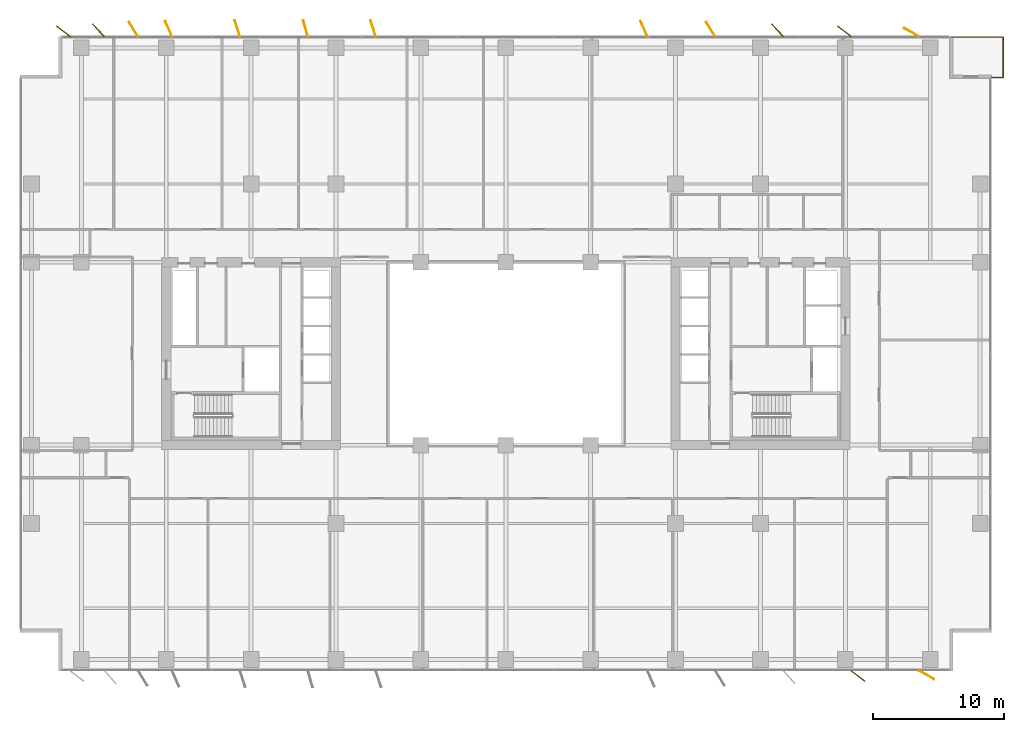
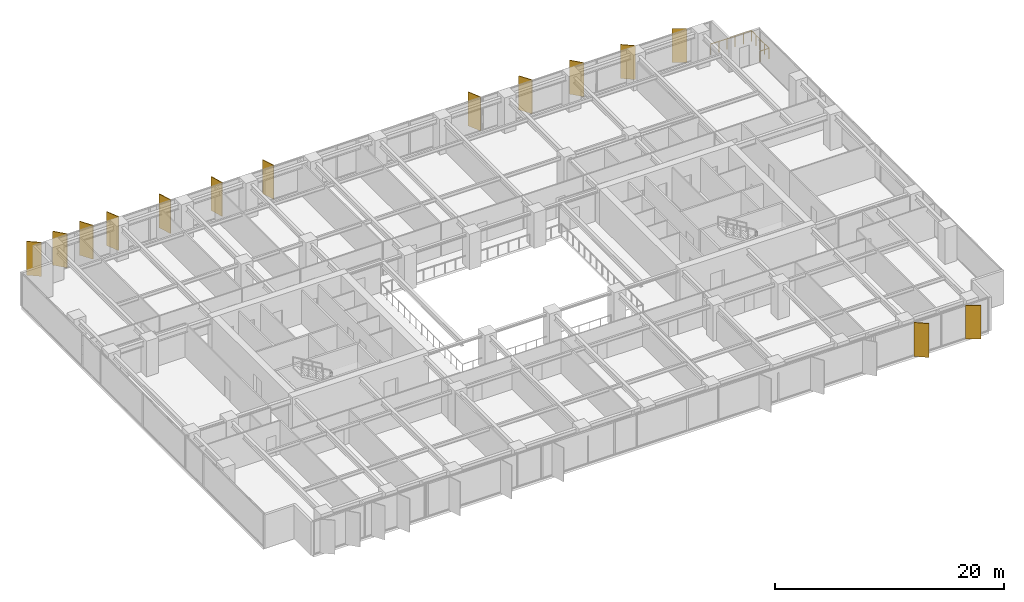
# One storey, part 20 of 20: 14 shading devices, 1 railing.
"""IFC4 building model written with IfcOpenShell, lengths in metres."""

from ifc_helpers import new_model, si_unit, direction, frame, origin, origin_2d, place, context, subcontext, project, spatial, rectangle, circle, extrude, material, layer, layer_set, type_object, element, save


model = new_model("IFC4")

# Units and contexts
model_context = context("Model", 3, precision=1e-05, world=origin(), true_north=direction((0.0, 1.0)))
body_context = subcontext(model_context, "Body", "Model", "MODEL_VIEW")
ifc_project = project(units=[si_unit("LENGTHUNIT", "METRE"), si_unit("AREAUNIT", "SQUARE_METRE"), si_unit("VOLUMEUNIT", "CUBIC_METRE"), si_unit("PLANEANGLEUNIT", "RADIAN"), si_unit("MASSUNIT", "GRAM", prefix="KILO")], contexts=[model_context])

# Site, building, storey
site_placement = place(None, origin())
site = spatial("IfcSite", under=ifc_project, at=site_placement, CompositionType="ELEMENT")
building_placement = place(site_placement, origin())
building = spatial("IfcBuilding", under=site, at=building_placement, Name="Putna Gate Headquarters", CompositionType="ELEMENT")
storey_placement = place(building_placement, frame((0.0, 0.0, 127.800048828125)))
storey = spatial("IfcBuildingStorey", under=building, at=storey_placement, Name="L31", CompositionType="ELEMENT", Elevation=127.800048828125)

# Railing
ifc_material_1 = material(Name="Anodised bronze steel and laminated glass guardrail", Category="steel")
railing_type = type_object("IfcRailingType", Name="RAIL-TERR-GUARD-1150", PredefinedType="GUARDRAIL", material=ifc_material_1)
railing_placement = place(storey_placement, frame((76.199951171875, 47.159912109375, 0.0)))
element("IfcRailing", 1, at=railing_placement, inside=storey, type_object=railing_type, Name="L31 Spiral Sky Terrace Guardrail NE", PredefinedType="GUARDRAIL", context=body_context, shape_type="SweptSolid", body=[
    extrude(circle(Radius=0.02392578125, at=origin_2d()), frame((0.0, 0.0, 1.1259765625), z_axis=(1.0, 0.0, 0.0), x_axis=(0.0, 1.0, 0.0)), (0.0, 0.0, 1.0), 0.89013671875),
    extrude(circle(Radius=0.02392578125, at=origin_2d()), frame((0.89013671875, 0.0, 1.1259765625), z_axis=(0.0, 1.0, 0.0), x_axis=(-1.0, 0.0, 0.0)), (0.0, 0.0, 1.0), 3.080078125),
    extrude(circle(Radius=0.02392578125, at=origin_2d()), frame((0.89013671875, 3.080078125, 1.1259765625), z_axis=(-1.0, 0.0, 0.0), x_axis=(0.0, -1.0, 0.0)), (0.0, 0.0, 1.0), 4.090087890625),
    extrude(circle(Radius=0.02099609375, at=origin_2d()), origin(), (0.0, 0.0, 1.0), 1.101806640625),
    extrude(circle(Radius=0.02099609375, at=origin_2d()), frame((0.89013671875, 0.0, 0.0)), (0.0, 0.0, 1.0), 1.101806640625),
    extrude(circle(Radius=0.02099609375, at=origin_2d()), frame((0.89013671875, 0.77001953125, 0.0)), (0.0, 0.0, 1.0), 1.101806640625),
    extrude(circle(Radius=0.02099609375, at=origin_2d()), frame((0.89013671875, 1.5400390625, 0.0)), (0.0, 0.0, 1.0), 1.101806640625),
    extrude(circle(Radius=0.02099609375, at=origin_2d()), frame((0.89013671875, 2.31005859375, 0.0)), (0.0, 0.0, 1.0), 1.101806640625),
    extrude(circle(Radius=0.02099609375, at=origin_2d()), frame((0.89013671875, 3.080078125, 0.0)), (0.0, 0.0, 1.0), 1.101806640625),
    extrude(circle(Radius=0.02099609375, at=origin_2d()), frame((0.072021484375, 3.080078125, 0.0)), (0.0, 0.0, 1.0), 1.101806640625),
    extrude(circle(Radius=0.02099609375, at=origin_2d()), frame((-0.745849609375, 3.080078125, 0.0)), (0.0, 0.0, 1.0), 1.101806640625),
    extrude(circle(Radius=0.02099609375, at=origin_2d()), frame((-1.56396484375, 3.080078125, 0.0)), (0.0, 0.0, 1.0), 1.101806640625),
    extrude(circle(Radius=0.02099609375, at=origin_2d()), frame((-2.3818359375, 3.080078125, 0.0)), (0.0, 0.0, 1.0), 1.101806640625),
    extrude(circle(Radius=0.02099609375, at=origin_2d()), frame((-3.199951171875, 3.080078125, 0.0)), (0.0, 0.0, 1.0), 1.101806640625),
])

# Shading devices
ifc_material_2 = material(Name="Anodised architectural bronze aluminium fin", Category="aluminium")
ifc_layer = layer(ifc_material_2, 0.06494140625)
ifc_layer_set = layer_set([ifc_layer], Name="Anodised architectural bronze aluminium fin")
shading_device_type = type_object("IfcShadingDeviceType", Name="SHADE-BRONZE-FIN-1320", PredefinedType="USERDEFINED", material=ifc_layer_set)
for number, where, z_axis, x_axis, name in (
    (2, (5.13037109375, 50.681884765625, -0.02001953125), (0.0, 0.0, 1.0), (-0.787473187632, 0.616348909921, 0.0), "L31 Bronze Vertical Shading Fin N1"),
    (3, (7.808349609375, 50.765380859375, -0.02001953125), (0.0, 0.0, 1.0), (-0.669130606359, 0.743144825477, 0.0), "L31 Bronze Vertical Shading Fin N2"),
    (4, (10.499755859375, 50.83447265625, -0.02001953125), (0.0, 0.0, 1.0), (-0.530659123936, 0.847585331506, 0.0), "L31 Bronze Vertical Shading Fin N3"),
    (5, (13.185546875, 50.879638671875, -0.02001953125), (0.0, 0.0, 1.0), (-0.400668879095, 0.916222925562, 0.0), "L31 Bronze Vertical Shading Fin N4"),
    (6, (18.4462890625, 50.90283203125, -0.02001953125), (0.0, 0.0, 1.0), (-0.308684994204, 0.951164325631, 0.0), "L31 Bronze Vertical Shading Fin N5"),
    (7, (23.668212890625, 50.909423828125, -0.02001953125), (0.0, 0.0, 1.0), (-0.275637355817, 0.961261695938, 0.0), "L31 Bronze Vertical Shading Fin N6"),
    (8, (28.84619140625, 50.90283203125, -0.02001953125), (0.0, 0.0, 1.0), (-0.308684994204, 0.951164325631, 0.0), "L31 Bronze Vertical Shading Fin N7"),
    (9, (49.585693359375, 50.879638671875, -0.02001953125), (0.0, 0.0, 1.0), (-0.400668879095, 0.916222925562, 0.0), "L31 Bronze Vertical Shading Fin N8"),
    (10, (54.69970703125, 50.83447265625, -0.02001953125), (0.0, 0.0, 1.0), (-0.530659123936, 0.847585331506, 0.0), "L31 Bronze Vertical Shading Fin N9"),
    (11, (59.808349609375, 50.765380859375, -0.02001953125), (0.0, 0.0, 1.0), (-0.669130606359, 0.743144825477, 0.0), "L31 Bronze Vertical Shading Fin N10"),
    (12, (65.9697265625, 1.318115234375, -0.02001953125), (0.0, 0.0, 1.0), (0.787473187632, -0.616348909921, 0.0), "L31 Bronze Vertical Shading Fin S11"),
    (13, (64.930419921875, 50.681884765625, -0.02001953125), (0.0, 0.0, 1.0), (-0.787473187632, 0.616348909921, 0.0), "L31 Bronze Vertical Shading Fin N11"),
    (14, (71.223876953125, 1.398681640625, -0.02001953125), (0.0, 0.0, 1.0), (0.869322458298, -0.494245347472, 0.0), "L31 Bronze Vertical Shading Fin S12"),
    (15, (70.076171875, 50.601318359375, -0.02001953125), (0.0, 0.0, 1.0), (-0.869322458298, 0.494245347472, 0.0), "L31 Bronze Vertical Shading Fin N12"),
):
    element("IfcShadingDevice", number, at=place(storey_placement, frame(where, z_axis=z_axis, x_axis=x_axis)), inside=storey, type_object=shading_device_type, Name=name, ObjectType="FIN", PredefinedType="USERDEFINED", context=body_context, shape_type="SweptSolid", body=[
        extrude(rectangle(XDim=1.320068359375, YDim=0.06494140625, at=origin_2d()), origin(), (0.0, 0.0, 1.0), 3.60498046875),
    ])

save(model, "model.ifc")
